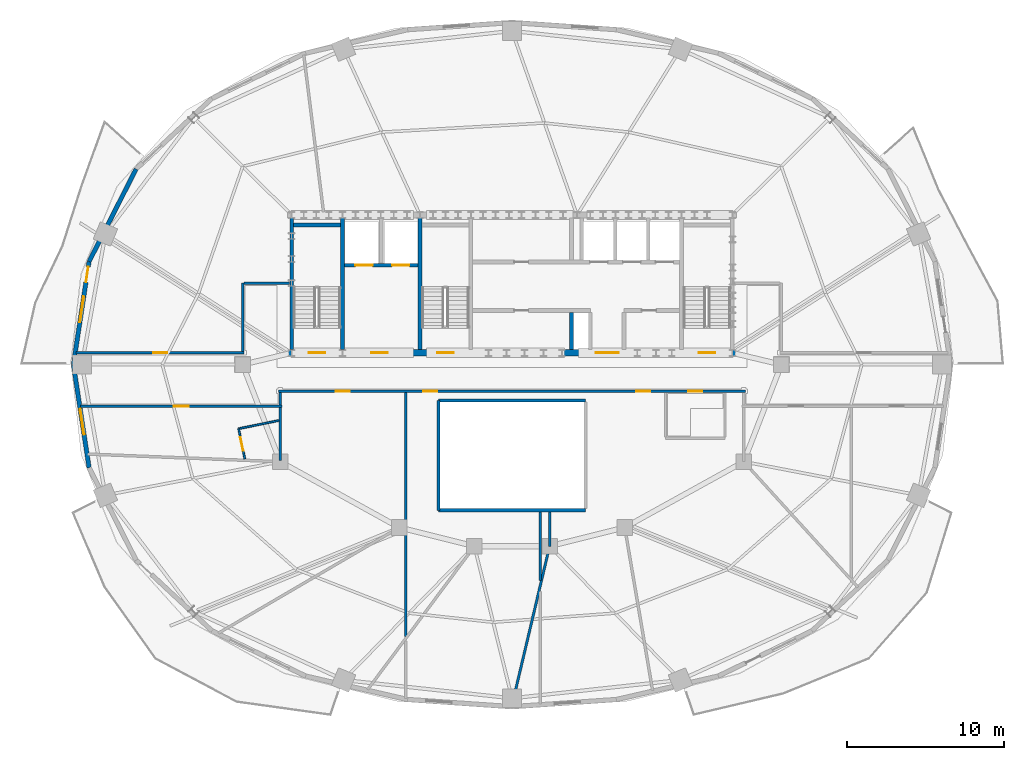
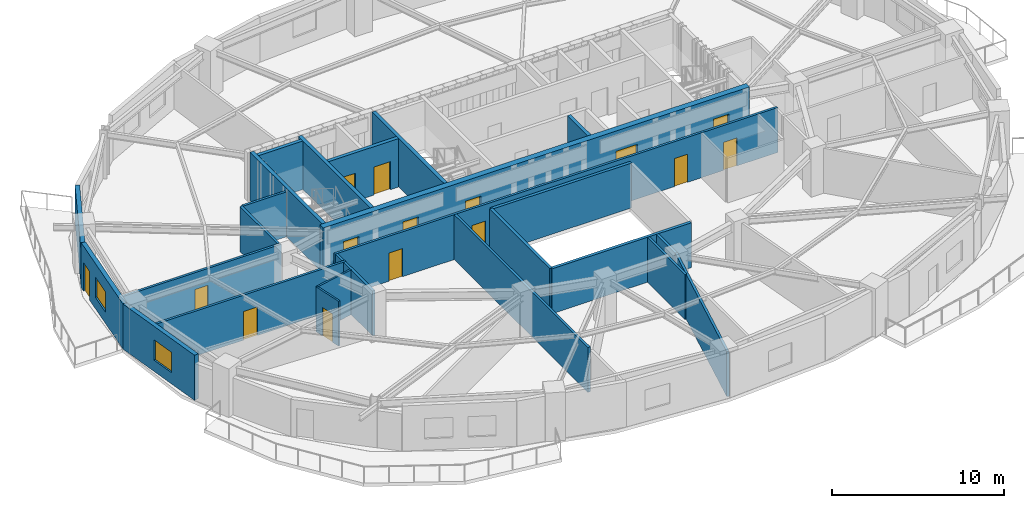
# One storey, part 4 of 11: 26 walls, 15 doors, 2 windows, 17 openings.
"""IFC4 building model written with IfcOpenShell, lengths in metres."""

from ifc_helpers import new_model, si_unit, direction, frame, frame_2d, origin, place, context, subcontext, project, spatial, rectangle, extrude, material, layer, layer_set, type_object, element, fill, save


model = new_model("IFC4")

# Units and contexts
model_context = context("Model", 3, precision=1e-05, world=origin(), true_north=direction((0.0, 1.0)))
body_context = subcontext(model_context, "Body", "Model", "MODEL_VIEW")
ifc_project = project(units=[si_unit("LENGTHUNIT", "METRE"), si_unit("AREAUNIT", "SQUARE_METRE"), si_unit("VOLUMEUNIT", "CUBIC_METRE"), si_unit("PLANEANGLEUNIT", "RADIAN"), si_unit("MASSUNIT", "GRAM", prefix="KILO")], contexts=[model_context])

# Site, building, storey
site_placement = place(None, origin())
site = spatial("IfcSite", under=ifc_project, at=site_placement, CompositionType="ELEMENT")
building_placement = place(site_placement, origin())
building = spatial("IfcBuilding", under=site, at=building_placement, Name="Haldorwick Loom Tower", CompositionType="ELEMENT")
storey_placement = place(building_placement, frame((0.0, 0.0, 208.300048828125)))
storey = spatial("IfcBuildingStorey", under=building, at=storey_placement, Name="L56", CompositionType="ELEMENT", Elevation=208.300048828125)

# Wall
ifc_material_1 = material(Name="Pressed Clay Face Brick and Insulated Masonry Backup Assembly", Category="masonry")
ifc_layer_1 = layer(ifc_material_1, 0.280029296875, Name="Pressed Clay Face Brick and Insulated Masonry Backup Assembly", Category="masonry")
ifc_layer_set_1 = layer_set([ifc_layer_1], Name="Pressed Clay Face Brick and Insulated Masonry Backup Assembly")
wall_type_1 = type_object("IfcWallType", Name="ARC-WL-EXT280", PredefinedType="STANDARD", material=ifc_layer_set_1)
wall_1_placement = place(storey_placement, frame((11.994384765625, 38.4853515625, 0.0), z_axis=(0.0, 0.0, 1.0), x_axis=(-0.453032066879, -0.89149422117, 0.0)))
element("IfcWall", 1, at=wall_1_placement, inside=storey, type_object=wall_type_1, Name="L56 Brick Pier and Spandrel Wall 11", PredefinedType="STANDARD", context=body_context, shape_type="SweptSolid", body=[
    extrude(rectangle(XDim=6.618896484375, YDim=0.280029296875, at=frame_2d((3.3095703125, 0.0))), origin(), (0.0, 0.0, 1.0), 2.640869140625),
])

# Wall, openings, door, window
wall_2_placement = place(storey_placement, frame((8.995849609375, 32.584716796875, 0.0), z_axis=(0.0, 0.0, 1.0), x_axis=(-0.150467697578, -0.988614926038, 0.0)))
wall_2 = element("IfcWall", 2, at=wall_2_placement, inside=storey, type_object=wall_type_1, Name="L56 Brick Pier and Spandrel Wall 12", PredefinedType="STANDARD", context=body_context, shape_type="SweptSolid", body=[
    extrude(rectangle(XDim=6.66064453125, YDim=0.280029296875, at=frame_2d((3.330322265625, 0.0))), origin(), (0.0, 0.0, 1.0), 3.2099609375),
])
opening_1_placement = place(wall_2_placement, frame((0.340087890625, 0.0, 0.0)))
opening_1 = element("IfcOpeningElement", 3, at=opening_1_placement, cuts=wall_2, Name="Opening D-BL10", PredefinedType="OPENING", context=body_context, shape_type="SweptSolid", body=[
    extrude(rectangle(XDim=1.0, YDim=2.0400390625, at=frame_2d((0.5, 1.02001953125))), frame((0.0, 0.14990234375, 0.0), z_axis=(0.0, -1.0, 0.0), x_axis=(1.0, 0.0, 0.0)), (0.0, 0.0, 1.0), 0.300048828125),
])
opening_2_placement = place(wall_2_placement, frame((2.2646484375, 0.0, 0.800048828125)))
opening_2 = element("IfcOpeningElement", 4, at=opening_2_placement, cuts=wall_2, Name="Opening W-01B", PredefinedType="OPENING", context=body_context, shape_type="SweptSolid", body=[
    extrude(rectangle(XDim=1.64990234375, YDim=1.449951171875, at=frame_2d((0.824951171875, 0.72509765625))), frame((0.0, 0.14990234375, 0.0), z_axis=(0.0, -1.0, 0.0), x_axis=(1.0, 0.0, 0.0)), (0.0, 0.0, 1.0), 0.300048828125),
])
ifc_material_2 = material(Name="Thermally Broken Anodized Aluminium Curtain Wall Framing", Category="aluminium")
door_type_1 = type_object("IfcDoorType", Name="ARC-DR-BAL100", OperationType="NOTDEFINED", PredefinedType="DOOR", material=ifc_material_2)
door_1_placement = place(opening_1_placement, origin())
door_1 = element("IfcDoor", 5, at=door_1_placement, inside=storey, type_object=door_type_1, Name="L56 Outdoor Terrace Door SLB-L56-BAL_WNW", OperationType="SINGLE_SWING_RIGHT", OverallHeight=2.0400390625, OverallWidth=1.0, PredefinedType="DOOR", context=body_context, shape_type="SweptSolid", body=[
    extrude(rectangle(XDim=1.0, YDim=2.0400390625, at=frame_2d((0.5, 1.02001953125))), frame((0.0, 0.02490234375, 0.0), z_axis=(0.0, -1.0, 0.0), x_axis=(1.0, 0.0, 0.0)), (0.0, 0.0, 1.0), 0.050048828125),
])
fill(opening_1, door_1)
ifc_material_3 = material(Name="Triple-Glazed Low-E Argon Insulated Glazing Unit", Category="glass")
window_type = type_object("IfcWindowType", Name="ARC-WIN-W165", PartitioningType="SINGLE_PANEL", PredefinedType="WINDOW", material=ifc_material_3)
window_1_placement = place(opening_2_placement, origin())
window_1 = element("IfcWindow", 6, at=window_1_placement, inside=storey, type_object=window_type, Name="L56 Deep-Set Zone 7A Window 12", OverallHeight=1.449951171875, OverallWidth=1.64990234375, PartitioningType="SINGLE_PANEL", PredefinedType="WINDOW", context=body_context, shape_type="SweptSolid", body=[
    extrude(rectangle(XDim=1.64990234375, YDim=1.449951171875, at=frame_2d((0.824951171875, 0.72509765625))), frame((0.0, 0.030029296875, 0.0), z_axis=(0.0, -1.0, 0.0), x_axis=(1.0, 0.0, 0.0)), (0.0, 0.0, 1.0), 0.06005859375),
])
fill(opening_2, window_1)

# Wall, opening, window
wall_3_placement = place(storey_placement, frame((7.99365234375, 26.0, 0.0), z_axis=(0.0, 0.0, 1.0), x_axis=(0.150467697578, -0.988614926038, 0.0)))
wall_3 = element("IfcWall", 7, at=wall_3_placement, inside=storey, type_object=wall_type_1, Name="L56 Brick Pier and Spandrel Wall 13", PredefinedType="STANDARD", context=body_context, shape_type="SweptSolid", body=[
    extrude(rectangle(XDim=6.66064453125, YDim=0.280029296875, at=frame_2d((3.330322265625, 0.0))), origin(), (0.0, 0.0, 1.0), 3.2099609375),
])
opening_3_placement = place(wall_3_placement, frame((2.8662109375, 0.0, 0.800048828125)))
opening_3 = element("IfcOpeningElement", 8, at=opening_3_placement, cuts=wall_3, Name="Opening W-01B", PredefinedType="OPENING", context=body_context, shape_type="SweptSolid", body=[
    extrude(rectangle(XDim=1.64990234375, YDim=1.449951171875, at=frame_2d((0.824951171875, 0.72509765625))), frame((0.0, 0.14990234375, 0.0), z_axis=(0.0, -1.0, 0.0), x_axis=(1.0, 0.0, 0.0)), (0.0, 0.0, 1.0), 0.300048828125),
])
window_2_placement = place(opening_3_placement, origin())
window_2 = element("IfcWindow", 9, at=window_2_placement, inside=storey, type_object=window_type, Name="L56 Deep-Set Zone 7A Window 13", OverallHeight=1.449951171875, OverallWidth=1.64990234375, PartitioningType="SINGLE_PANEL", PredefinedType="WINDOW", context=body_context, shape_type="SweptSolid", body=[
    extrude(rectangle(XDim=1.64990234375, YDim=1.449951171875, at=frame_2d((0.824951171875, 0.72509765625))), frame((0.0, 0.030029296875, 0.0), z_axis=(0.0, -1.0, 0.0), x_axis=(1.0, 0.0, 0.0)), (0.0, 0.0, 1.0), 0.06005859375),
])
fill(opening_3, window_2)

# Wall, openings, doors
ifc_material_4 = material(Name="Fire-Rated Type X Gypsum Stud Assembly EI 60")
ifc_layer_2 = layer(ifc_material_4, 0.159912109375, Name="Fire-Rated Type X Gypsum Stud Assembly EI 60")
ifc_layer_set_2 = layer_set([ifc_layer_2], Name="Fire-Rated Type X Gypsum Stud Assembly EI 60")
wall_type_2 = type_object("IfcWallType", Name="ARC-WL-FIRE160", PredefinedType="PARTITIONING", material=ifc_layer_set_2)
wall_4_placement = place(storey_placement, frame((21.10009765625, 24.300048828125, 0.0), z_axis=(0.0, 0.0, 1.0), x_axis=(1.0, 0.0, 0.0)))
wall_4 = element("IfcWall", 10, at=wall_4_placement, inside=storey, type_object=wall_type_2, Name="L56 Residential Fire Partition L56-CR-SP", PredefinedType="PARTITIONING", context=body_context, shape_type="SweptSolid", body=[
    extrude(rectangle(XDim=29.7998046875, YDim=0.159912109375, at=frame_2d((14.89990234375, 0.0))), origin(), (0.0, 0.0, 1.0), 3.195068359375),
])
opening_4_placement = place(wall_4_placement, frame((22.838134765625, 0.0, 0.0)))
opening_4 = element("IfcOpeningElement", 11, at=opening_4_placement, cuts=wall_4, Name="Opening D-FD60A", PredefinedType="OPENING", context=body_context, shape_type="SweptSolid", body=[
    extrude(rectangle(XDim=0.89990234375, YDim=2.0, at=frame_2d((0.449951171875, 1.0))), frame((0.0, 0.08984375, 0.0), z_axis=(0.0, -1.0, 0.0), x_axis=(1.0, 0.0, 0.0)), (0.0, 0.0, 1.0), 0.179931640625),
])
opening_5_placement = place(wall_4_placement, frame((9.22900390625, 0.0, 0.0)))
opening_5 = element("IfcOpeningElement", 12, at=opening_5_placement, cuts=wall_4, Name="Opening D-FD60A", PredefinedType="OPENING", context=body_context, shape_type="SweptSolid", body=[
    extrude(rectangle(XDim=0.89990234375, YDim=2.0, at=frame_2d((0.449951171875, 1.0))), frame((0.0, 0.08984375, 0.0), z_axis=(0.0, -1.0, 0.0), x_axis=(1.0, 0.0, 0.0)), (0.0, 0.0, 1.0), 0.179931640625),
])
opening_6_placement = place(wall_4_placement, frame((3.6337890625, 0.0, 0.0)))
opening_6 = element("IfcOpeningElement", 13, at=opening_6_placement, cuts=wall_4, Name="Opening D-FD60A", PredefinedType="OPENING", context=body_context, shape_type="SweptSolid", body=[
    extrude(rectangle(XDim=0.89990234375, YDim=2.0, at=frame_2d((0.449951171875, 1.0))), frame((0.0, 0.08984375, 0.0), z_axis=(0.0, -1.0, 0.0), x_axis=(1.0, 0.0, 0.0)), (0.0, 0.0, 1.0), 0.179931640625),
])
opening_7_placement = place(wall_4_placement, frame((26.1494140625, 0.0, 0.0)))
opening_7 = element("IfcOpeningElement", 14, at=opening_7_placement, cuts=wall_4, Name="Opening D-FD60A", PredefinedType="OPENING", context=body_context, shape_type="SweptSolid", body=[
    extrude(rectangle(XDim=0.89990234375, YDim=2.0, at=frame_2d((0.449951171875, 1.0))), frame((0.0, 0.08984375, 0.0), z_axis=(0.0, -1.0, 0.0), x_axis=(1.0, 0.0, 0.0)), (0.0, 0.0, 1.0), 0.179931640625),
])
ifc_material_5 = material(Name="Hollow Steel Fire Door Assembly", Category="steel")
door_type_2 = type_object("IfcDoorType", Name="ARC-DR-FD60-90", OperationType="NOTDEFINED", PredefinedType="DOOR", material=ifc_material_5)
door_2_placement = place(opening_4_placement, origin())
door_2 = element("IfcDoor", 15, at=door_2_placement, inside=storey, type_object=door_type_2, Name="L56 L56 Central Residential Corridor to Co-Working Open Office 2 Door", OperationType="SINGLE_SWING_LEFT", OverallHeight=2.0, OverallWidth=0.89990234375, PredefinedType="DOOR", context=body_context, shape_type="SweptSolid", body=[
    extrude(rectangle(XDim=0.89990234375, YDim=2.0, at=frame_2d((0.449951171875, 1.0))), frame((0.0, 0.02490234375, 0.0), z_axis=(0.0, -1.0, 0.0), x_axis=(1.0, 0.0, 0.0)), (0.0, 0.0, 1.0), 0.050048828125),
])
fill(opening_4, door_2)
door_3_placement = place(opening_5_placement, origin())
door_3 = element("IfcDoor", 16, at=door_3_placement, inside=storey, type_object=door_type_2, Name="L56 L56 Central Residential Corridor to Co-Working Open Office 1 Door", OperationType="SINGLE_SWING_LEFT", OverallHeight=2.0, OverallWidth=0.89990234375, PredefinedType="DOOR", context=body_context, shape_type="SweptSolid", body=[
    extrude(rectangle(XDim=0.89990234375, YDim=2.0, at=frame_2d((0.449951171875, 1.0))), frame((0.0, 0.02490234375, 0.0), z_axis=(0.0, -1.0, 0.0), x_axis=(1.0, 0.0, 0.0)), (0.0, 0.0, 1.0), 0.050048828125),
])
fill(opening_5, door_3)
door_4_placement = place(opening_6_placement, origin())
door_4 = element("IfcDoor", 17, at=door_4_placement, inside=storey, type_object=door_type_2, Name="L56 L56 Central Residential Corridor to Co-Working Open Office 3 Door", OperationType="SINGLE_SWING_RIGHT", OverallHeight=2.0, OverallWidth=0.89990234375, PredefinedType="DOOR", context=body_context, shape_type="SweptSolid", body=[
    extrude(rectangle(XDim=0.89990234375, YDim=2.0, at=frame_2d((0.449951171875, 1.0))), frame((0.0, 0.02490234375, 0.0), z_axis=(0.0, -1.0, 0.0), x_axis=(1.0, 0.0, 0.0)), (0.0, 0.0, 1.0), 0.050048828125),
])
fill(opening_6, door_4)
door_5_placement = place(opening_7_placement, origin())
door_5 = element("IfcDoor", 18, at=door_5_placement, inside=storey, type_object=door_type_2, Name="L56 L56 Central Residential Corridor to Common Accessible WC Door", OperationType="SINGLE_SWING_LEFT", OverallHeight=2.0, OverallWidth=0.89990234375, PredefinedType="DOOR", context=body_context, shape_type="SweptSolid", body=[
    extrude(rectangle(XDim=0.89990234375, YDim=2.0, at=frame_2d((0.449951171875, 1.0))), frame((0.0, 0.02490234375, 0.0), z_axis=(0.0, -1.0, 0.0), x_axis=(1.0, 0.0, 0.0)), (0.0, 0.0, 1.0), 0.050048828125),
])
fill(opening_7, door_5)

# Wall, opening, door
wall_5_placement = place(storey_placement, frame((8.4423828125, 23.35009765625, 0.0), z_axis=(0.0, 0.0, 1.0), x_axis=(1.0, 0.0, 0.0)))
wall_5 = element("IfcWall", 19, at=wall_5_placement, inside=storey, type_object=wall_type_2, Name="L56 Residential Fire Partition L56-CR-SPW", PredefinedType="PARTITIONING", context=body_context, shape_type="SweptSolid", body=[
    extrude(rectangle(XDim=12.857666015625, YDim=0.159912109375, at=frame_2d((6.4287109375, 0.0))), origin(), (0.0, 0.0, 1.0), 3.195068359375),
])
opening_8_placement = place(wall_5_placement, frame((5.95361328125, 0.0, 0.0)))
opening_8 = element("IfcOpeningElement", 20, at=opening_8_placement, cuts=wall_5, Name="Opening D-FL95", PredefinedType="OPENING", context=body_context, shape_type="SweptSolid", body=[
    extrude(rectangle(XDim=0.949951171875, YDim=2.0400390625, at=frame_2d((0.47509765625, 1.02001953125))), frame((0.0, 0.08984375, 0.0), z_axis=(0.0, -1.0, 0.0), x_axis=(1.0, 0.0, 0.0)), (0.0, 0.0, 1.0), 0.179931640625),
])
ifc_material_6 = material(Name="Solid Core Birch Architectural Door")
door_type_3 = type_object("IfcDoorType", Name="ARC-DR-FLAT95", OperationType="NOTDEFINED", PredefinedType="DOOR", material=ifc_material_6)
door_6_placement = place(opening_8_placement, origin())
door_6 = element("IfcDoor", 21, at=door_6_placement, inside=storey, type_object=door_type_3, Name="L56 L56 Central Residential Corridor to Unit 56B Kitchen and Studio Livi", OperationType="SINGLE_SWING_RIGHT", OverallHeight=2.0400390625, OverallWidth=0.949951171875, PredefinedType="DOOR", context=body_context, shape_type="SweptSolid", body=[
    extrude(rectangle(XDim=0.949951171875, YDim=2.0400390625, at=frame_2d((0.47509765625, 1.02001953125))), frame((0.0, 0.02490234375, 0.0), z_axis=(0.0, -1.0, 0.0), x_axis=(1.0, 0.0, 0.0)), (0.0, 0.0, 1.0), 0.050048828125),
])
fill(opening_8, door_6)

# Wall
wall_6_placement = place(storey_placement, frame((21.199951171875, 23.43310546875, 0.0), z_axis=(0.0, 0.0, 1.0), x_axis=(0.0, 1.0, 0.0)))
element("IfcWall", 22, at=wall_6_placement, inside=storey, type_object=wall_type_2, Name="L56 Residential Fire Partition L56-CR-STW", PredefinedType="PARTITIONING", context=body_context, shape_type="SweptSolid", body=[
    extrude(rectangle(XDim=0.783935546875, YDim=0.159912109375, at=frame_2d((0.39208984375, 0.0))), origin(), (0.0, 0.0, 1.0), 3.195068359375),
])

# Wall, opening, door
wall_7_placement = place(storey_placement, frame((8.1533203125, 26.75, 0.0), z_axis=(0.0, 0.0, 1.0), x_axis=(1.0, 0.0, 0.0)))
wall_7 = element("IfcWall", 23, at=wall_7_placement, inside=storey, type_object=wall_type_2, Name="L56 Residential Fire Partition L56-CR-NWL", PredefinedType="PARTITIONING", context=body_context, shape_type="SweptSolid", body=[
    extrude(rectangle(XDim=10.74658203125, YDim=0.159912109375, at=frame_2d((5.373291015625, 0.0))), origin(), (0.0, 0.0, 1.0), 3.195068359375),
])
opening_9_placement = place(wall_7_placement, frame((4.92333984375, 0.0, 0.0)))
opening_9 = element("IfcOpeningElement", 24, at=opening_9_placement, cuts=wall_7, Name="Opening D-FD60A", PredefinedType="OPENING", context=body_context, shape_type="SweptSolid", body=[
    extrude(rectangle(XDim=0.89990234375, YDim=2.0, at=frame_2d((0.449951171875, 1.0))), frame((0.0, 0.08984375, 0.0), z_axis=(0.0, -1.0, 0.0), x_axis=(1.0, 0.0, 0.0)), (0.0, 0.0, 1.0), 0.179931640625),
])
door_7_placement = place(opening_9_placement, frame((0.89990234375, 0.0, 0.0), z_axis=(0.0, 0.0, 1.0), x_axis=(-1.0, 0.0, 0.0)))
door_7 = element("IfcDoor", 25, at=door_7_placement, inside=storey, type_object=door_type_2, Name="L56 Co-Working Open Office 7 to L56 Central Residential Corridor Door", OperationType="SINGLE_SWING_LEFT", OverallHeight=2.0, OverallWidth=0.89990234375, PredefinedType="DOOR", context=body_context, shape_type="SweptSolid", body=[
    extrude(rectangle(XDim=0.89990234375, YDim=2.0, at=frame_2d((0.449951171875, 1.0))), frame((0.0, 0.02490234375, 0.0), z_axis=(0.0, -1.0, 0.0), x_axis=(1.0, 0.0, 0.0)), (0.0, 0.0, 1.0), 0.050048828125),
])
fill(opening_9, door_7)

# Walls
wall_8_placement = place(storey_placement, frame((18.800048828125, 26.8330078125, 0.0), z_axis=(0.0, 0.0, 1.0), x_axis=(0.0, 1.0, 0.0)))
element("IfcWall", 26, at=wall_8_placement, inside=storey, type_object=wall_type_2, Name="L56 Residential Fire Partition L56-CR-W0", PredefinedType="PARTITIONING", context=body_context, shape_type="SweptSolid", body=[
    extrude(rectangle(XDim=4.366943359375, YDim=0.159912109375, at=frame_2d((2.18359375, 0.0))), origin(), (0.0, 0.0, 1.0), 3.195068359375),
])
wall_9_placement = place(storey_placement, frame((18.883056640625, 31.199951171875, 0.0), z_axis=(0.0, 0.0, 1.0), x_axis=(1.0, 0.0, 0.0)))
element("IfcWall", 27, at=wall_9_placement, inside=storey, type_object=wall_type_2, Name="L56 Residential Fire Partition L56-CR-WNJ", PredefinedType="PARTITIONING", context=body_context, shape_type="SweptSolid", body=[
    extrude(rectangle(XDim=2.923828125, YDim=0.159912109375, at=frame_2d((1.4619140625, 0.0))), origin(), (0.0, 0.0, 1.0), 3.195068359375),
])
wall_10_placement = place(storey_placement, frame((38.39990234375, 14.39990234375, 0.0), z_axis=(0.0, 0.0, 1.0), x_axis=(-0.230222003239, -0.973138134709, 0.0)))
element("IfcWall", 28, at=wall_10_placement, inside=storey, type_object=wall_type_2, Name="L56 Residential Fire Partition L56-ICR-06", PredefinedType="PARTITIONING", context=body_context, shape_type="SweptSolid", body=[
    extrude(rectangle(XDim=10.48046875, YDim=0.159912109375, at=frame_2d((5.240234375, 0.0))), origin(), (0.0, 0.0, 1.0), 3.195068359375),
])
wall_11_placement = place(storey_placement, frame((29.199951171875, 8.633544921875, 0.0), z_axis=(0.0, 0.0, 1.0), x_axis=(0.0, 1.0, 0.0)))
element("IfcWall", 29, at=wall_11_placement, inside=storey, type_object=wall_type_2, Name="L56 Residential Fire Partition L56-SBP-0", PredefinedType="PARTITIONING", context=body_context, shape_type="SweptSolid", body=[
    extrude(rectangle(XDim=15.58349609375, YDim=0.159912109375, at=frame_2d((7.791748046875, 0.0))), origin(), (0.0, 0.0, 1.0), 3.195068359375),
])
wall_12_placement = place(storey_placement, frame((37.800048828125, 12.224365234375, 0.0), z_axis=(0.0, 0.0, 1.0), x_axis=(0.0, 1.0, 0.0)))
element("IfcWall", 30, at=wall_12_placement, inside=storey, type_object=wall_type_2, Name="L56 Residential Fire Partition L56-SBP-1", PredefinedType="PARTITIONING", context=body_context, shape_type="SweptSolid", body=[
    extrude(rectangle(XDim=4.37255859375, YDim=0.159912109375, at=frame_2d((2.186279296875, 0.0))), origin(), (0.0, 0.0, 1.0), 3.195068359375),
])
wall_13_placement = place(storey_placement, frame((38.39990234375, 16.596923828125, 0.0), z_axis=(0.0, 0.0, 1.0), x_axis=(0.0, -1.0, 0.0)))
element("IfcWall", 31, at=wall_13_placement, inside=storey, type_object=wall_type_2, Name="L56 Residential Fire Partition L56-ICA-05", PredefinedType="PARTITIONING", context=body_context, shape_type="SweptSolid", body=[
    extrude(rectangle(XDim=2.197021484375, YDim=0.159912109375, at=frame_2d((1.0986328125, 0.0))), origin(), (0.0, 0.0, 1.0), 3.195068359375),
])
wall_14_placement = place(storey_placement, frame((21.199951171875, 23.26708984375, 0.0), z_axis=(0.0, 0.0, 1.0), x_axis=(0.0, -1.0, 0.0)))
element("IfcWall", 32, at=wall_14_placement, inside=storey, type_object=wall_type_2, Name="L56 Residential Fire Partition L56-ICA-11", PredefinedType="PARTITIONING", context=body_context, shape_type="SweptSolid", body=[
    extrude(rectangle(XDim=3.384033203125, YDim=0.159912109375, at=frame_2d((1.69189453125, 0.0))), origin(), (0.0, 0.0, 1.0), 3.195068359375),
])
ifc_material_7 = material(Name="Fire-Rated Type X Gypsum Stud Assembly EI 120")
ifc_layer_3 = layer(ifc_material_7, 0.199951171875, Name="Fire-Rated Type X Gypsum Stud Assembly EI 120")
ifc_layer_set_3 = layer_set([ifc_layer_3], Name="Fire-Rated Type X Gypsum Stud Assembly EI 120")
wall_type_3 = type_object("IfcWallType", Name="ARC-WL-FIRE200", PredefinedType="PARTITIONING", material=ifc_layer_set_3)
for number, where, z_axis, x_axis, name in (
    (33, (31.300048828125, 23.699951171875, 0.0), (0.0, 0.0, 1.0), (1.0, 0.0, 0.0), "L56 Atrium Fire Enclosure Wall N"),
    (34, (40.699951171875, 16.699951171875, 0.0), (0.0, 0.0, 1.0), (-1.0, 0.0, 0.0), "L56 Atrium Fire Enclosure Wall S"),
):
    element("IfcWall", number, at=place(storey_placement, frame(where, z_axis=z_axis, x_axis=x_axis)), inside=storey, type_object=wall_type_3, Name=name, PredefinedType="PARTITIONING", context=body_context, shape_type="SweptSolid", body=[
        extrude(rectangle(XDim=9.39990234375, YDim=0.199951171875, at=frame_2d((4.699951171875, 0.0))), origin(), (0.0, 0.0, 1.0), 3.195068359375),
    ])
wall_15_placement = place(storey_placement, frame((31.300048828125, 16.699951171875, 0.0), z_axis=(0.0, 0.0, 1.0), x_axis=(0.0, 1.0, 0.0)))
element("IfcWall", 35, at=wall_15_placement, inside=storey, type_object=wall_type_3, Name="L56 Atrium Fire Enclosure Wall W", PredefinedType="PARTITIONING", context=body_context, shape_type="SweptSolid", body=[
    extrude(rectangle(XDim=7.0, YDim=0.199951171875, at=frame_2d((3.5, 0.0))), origin(), (0.0, 0.0, 1.0), 3.195068359375),
])

# Wall, opening, door
ifc_material_8 = material(Name="Acoustic Gypsum Stud Assembly STC 55")
ifc_layer_4 = layer(ifc_material_8, 0.1201171875, Name="Acoustic Gypsum Stud Assembly STC 55")
ifc_layer_set_4 = layer_set([ifc_layer_4], Name="Acoustic Gypsum Stud Assembly STC 55")
wall_type_4 = type_object("IfcWallType", Name="ARC-WL-PART120", PredefinedType="PARTITIONING", material=ifc_layer_set_4)
wall_16_placement = place(storey_placement, frame((18.544677734375, 21.9052734375, 0.0), z_axis=(0.0, 0.0, 1.0), x_axis=(0.201205987491, -0.97954895263, 0.0)))
wall_16 = element("IfcWall", 36, at=wall_16_placement, inside=storey, type_object=wall_type_4, Name="L56 Unit 56B Interior Partition", PredefinedType="PARTITIONING", context=body_context, shape_type="SweptSolid", body=[
    extrude(rectangle(XDim=1.972900390625, YDim=0.1201171875, at=frame_2d((0.986328125, 0.0))), origin(), (0.0, 0.0, 1.0), 3.195068359375),
])
opening_10_placement = place(wall_16_placement, frame((0.54638671875, 0.0, 0.0)))
opening_10 = element("IfcOpeningElement", 37, at=opening_10_placement, cuts=wall_16, Name="Opening D-BT88", PredefinedType="OPENING", context=body_context, shape_type="SweptSolid", body=[
    extrude(rectangle(XDim=0.8798828125, YDim=2.02001953125, at=frame_2d((0.43994140625, 1.010009765625))), frame((0.0, 0.070068359375, 0.0), z_axis=(0.0, -1.0, 0.0), x_axis=(1.0, 0.0, 0.0)), (0.0, 0.0, 1.0), 0.14013671875),
])
door_type_4 = type_object("IfcDoorType", Name="ARC-DR-BATH88", OperationType="NOTDEFINED", PredefinedType="DOOR", material=ifc_material_6)
door_8_placement = place(opening_10_placement, origin())
door_8 = element("IfcDoor", 38, at=door_8_placement, inside=storey, type_object=door_type_4, Name="L56 Unit 56B Bathroom to Unit 56B Kitchen and Studio Living Room Door", OperationType="SINGLE_SWING_RIGHT", OverallHeight=2.02001953125, OverallWidth=0.8798828125, PredefinedType="DOOR", context=body_context, shape_type="SweptSolid", body=[
    extrude(rectangle(XDim=0.8798828125, YDim=2.02001953125, at=frame_2d((0.43994140625, 1.010009765625))), frame((0.0, 0.02490234375, 0.0), z_axis=(0.0, -1.0, 0.0), x_axis=(1.0, 0.0, 0.0)), (0.0, 0.0, 1.0), 0.050048828125),
])
fill(opening_10, door_8)

# Wall
wall_17_placement = place(storey_placement, frame((21.116943359375, 22.43359375, 0.0), z_axis=(0.0, 0.0, 1.0), x_axis=(-0.979551989532, -0.201191202102, 0.0)))
element("IfcWall", 39, at=wall_17_placement, inside=storey, type_object=wall_type_4, Name="L56 Unit 56B Interior Partition", PredefinedType="PARTITIONING", context=body_context, shape_type="SweptSolid", body=[
    extrude(rectangle(XDim=2.6259765625, YDim=0.1201171875, at=frame_2d((1.31298828125, 0.0))), origin(), (0.0, 0.0, 1.0), 3.195068359375),
])

# Wall, openings, doors
ifc_material_9 = material(Name="Concrete C50 (50 MPa)", Category="concrete")
ifc_layer_5 = layer(ifc_material_9, 0.39990234375, Name="Concrete C50 (50 MPa)", Category="concrete")
ifc_layer_set_5 = layer_set([ifc_layer_5], Name="Concrete C50 (50 MPa)")
wall_type_5 = type_object("IfcWallType", Name="STR-WL-CORE400", PredefinedType="SHEAR", material=ifc_layer_set_5)
wall_18_placement = place(storey_placement, frame((21.64990234375, 26.75, 0.0), z_axis=(0.0, 0.0, 1.0), x_axis=(1.0, 0.0, 0.0)))
wall_18 = element("IfcWall", 40, at=wall_18_placement, inside=storey, type_object=wall_type_5, Name="L56 Core Shear Wall S", PredefinedType="SHEAR", context=body_context, shape_type="SweptSolid", body=[
    extrude(rectangle(XDim=28.7001953125, YDim=0.39990234375, at=frame_2d((14.35009765625, 0.0))), origin(), (0.0, 0.0, 1.0), 3.449951171875),
])
opening_11_placement = place(wall_18_placement, frame((1.375, 0.0, 0.0)))
opening_11 = element("IfcOpeningElement", 41, at=opening_11_placement, cuts=wall_18, Name="Opening D-FD60", PredefinedType="OPENING", context=body_context, shape_type="SweptSolid", body=[
    extrude(rectangle(XDim=1.050048828125, YDim=2.0, at=frame_2d((0.52490234375, 1.0))), frame((0.0, 0.2099609375, 0.0), z_axis=(0.0, -1.0, 0.0), x_axis=(1.0, 0.0, 0.0)), (0.0, 0.0, 1.0), 0.419921875),
])
opening_12_placement = place(wall_18_placement, frame((5.375, 0.0, 0.0)))
opening_12 = element("IfcOpeningElement", 42, at=opening_12_placement, cuts=wall_18, Name="Opening D-FD60", PredefinedType="OPENING", context=body_context, shape_type="SweptSolid", body=[
    extrude(rectangle(XDim=1.050048828125, YDim=2.0, at=frame_2d((0.52490234375, 1.0))), frame((0.0, 0.2099609375, 0.0), z_axis=(0.0, -1.0, 0.0), x_axis=(1.0, 0.0, 0.0)), (0.0, 0.0, 1.0), 0.419921875),
])
opening_13_placement = place(wall_18_placement, frame((9.574951171875, 0.0, 0.0)))
opening_13 = element("IfcOpeningElement", 43, at=opening_13_placement, cuts=wall_18, Name="Opening D-FD60", PredefinedType="OPENING", context=body_context, shape_type="SweptSolid", body=[
    extrude(rectangle(XDim=1.050048828125, YDim=2.0, at=frame_2d((0.52490234375, 1.0))), frame((0.0, 0.2099609375, 0.0), z_axis=(0.0, -1.0, 0.0), x_axis=(1.0, 0.0, 0.0)), (0.0, 0.0, 1.0), 0.419921875),
])
opening_14_placement = place(wall_18_placement, frame((19.705078125, 0.0, 0.0)))
opening_14 = element("IfcOpeningElement", 44, at=opening_14_placement, cuts=wall_18, Name="Opening D-LB15", PredefinedType="OPENING", context=body_context, shape_type="SweptSolid", body=[
    extrude(rectangle(XDim=1.449951171875, YDim=2.0, at=frame_2d((0.72509765625, 1.0))), frame((0.0, 0.2099609375, 0.0), z_axis=(0.0, -1.0, 0.0), x_axis=(1.0, 0.0, 0.0)), (0.0, 0.0, 1.0), 0.419921875),
])
opening_15_placement = place(wall_18_placement, frame((26.27490234375, 0.0, 0.0)))
opening_15 = element("IfcOpeningElement", 45, at=opening_15_placement, cuts=wall_18, Name="Opening D-FD60", PredefinedType="OPENING", context=body_context, shape_type="SweptSolid", body=[
    extrude(rectangle(XDim=1.050048828125, YDim=2.0, at=frame_2d((0.52490234375, 1.0))), frame((0.0, 0.2099609375, 0.0), z_axis=(0.0, -1.0, 0.0), x_axis=(1.0, 0.0, 0.0)), (0.0, 0.0, 1.0), 0.419921875),
])
door_type_5 = type_object("IfcDoorType", Name="ARC-DR-FD60", OperationType="NOTDEFINED", PredefinedType="DOOR", material=ifc_material_5)
door_9_placement = place(opening_11_placement, origin())
door_9 = element("IfcDoor", 46, at=door_9_placement, inside=storey, type_object=door_type_5, Name="L56 Exit Stair ST-01 Fire Door", OperationType="SINGLE_SWING_RIGHT", OverallHeight=2.0, OverallWidth=1.050048828125, PredefinedType="DOOR", context=body_context, shape_type="SweptSolid", body=[
    extrude(rectangle(XDim=1.050048828125, YDim=2.0, at=frame_2d((0.52490234375, 1.0))), frame((0.0, 0.02490234375, 0.0), z_axis=(0.0, -1.0, 0.0), x_axis=(1.0, 0.0, 0.0)), (0.0, 0.0, 1.0), 0.050048828125),
])
fill(opening_11, door_9)
door_10_placement = place(opening_12_placement, origin())
door_10 = element("IfcDoor", 47, at=door_10_placement, inside=storey, type_object=door_type_5, Name="L56 Firefighting Lift Lobby Fire Door", OperationType="SINGLE_SWING_LEFT", OverallHeight=2.0, OverallWidth=1.050048828125, PredefinedType="DOOR", context=body_context, shape_type="SweptSolid", body=[
    extrude(rectangle(XDim=1.050048828125, YDim=2.0, at=frame_2d((0.52490234375, 1.0))), frame((0.0, 0.02490234375, 0.0), z_axis=(0.0, -1.0, 0.0), x_axis=(1.0, 0.0, 0.0)), (0.0, 0.0, 1.0), 0.050048828125),
])
fill(opening_12, door_10)
door_11_placement = place(opening_13_placement, origin())
door_11 = element("IfcDoor", 48, at=door_11_placement, inside=storey, type_object=door_type_5, Name="L56 Exit Stair ST-03 Fire Door", OperationType="SINGLE_SWING_LEFT", OverallHeight=2.0, OverallWidth=1.050048828125, PredefinedType="DOOR", context=body_context, shape_type="SweptSolid", body=[
    extrude(rectangle(XDim=1.050048828125, YDim=2.0, at=frame_2d((0.52490234375, 1.0))), frame((0.0, 0.02490234375, 0.0), z_axis=(0.0, -1.0, 0.0), x_axis=(1.0, 0.0, 0.0)), (0.0, 0.0, 1.0), 0.050048828125),
])
fill(opening_13, door_11)
door_12_placement = place(opening_15_placement, origin())
door_12 = element("IfcDoor", 49, at=door_12_placement, inside=storey, type_object=door_type_5, Name="L56 Exit Stair ST-02 Fire Door", OperationType="SINGLE_SWING_LEFT", OverallHeight=2.0, OverallWidth=1.050048828125, PredefinedType="DOOR", context=body_context, shape_type="SweptSolid", body=[
    extrude(rectangle(XDim=1.050048828125, YDim=2.0, at=frame_2d((0.52490234375, 1.0))), frame((0.0, 0.02490234375, 0.0), z_axis=(0.0, -1.0, 0.0), x_axis=(1.0, 0.0, 0.0)), (0.0, 0.0, 1.0), 0.050048828125),
])
fill(opening_15, door_12)
ifc_material_10 = material(Name="Thermally Broken Anodized Aluminium and Tempered Glass", Category="aluminium")
door_type_6 = type_object("IfcDoorType", Name="ARC-DR-LOB150", OperationType="NOTDEFINED", PredefinedType="DOOR", material=ifc_material_10)
door_13_placement = place(opening_14_placement, frame((1.449951171875, 0.0, 0.0), z_axis=(0.0, 0.0, 1.0), x_axis=(-1.0, 0.0, 0.0)))
door_13 = element("IfcDoor", 50, at=door_13_placement, inside=storey, type_object=door_type_6, Name="L56 Passenger Lift Lobby Fire Door", OperationType="DOUBLE_DOOR_SINGLE_SWING", OverallHeight=2.0, OverallWidth=1.449951171875, PredefinedType="DOOR", context=body_context, shape_type="SweptSolid", body=[
    extrude(rectangle(XDim=1.449951171875, YDim=2.0, at=frame_2d((0.72509765625, 1.0))), frame((0.0, 0.02490234375, 0.0), z_axis=(0.0, -1.0, 0.0), x_axis=(1.0, 0.0, 0.0)), (0.0, 0.0, 1.0), 0.050048828125),
])
fill(opening_14, door_13)

# Walls
ifc_layer_6 = layer(ifc_material_9, 0.239990234375, Name="Concrete C50 (50 MPa)", Category="concrete")
ifc_layer_set_6 = layer_set([ifc_layer_6], Name="Concrete C50 (50 MPa)")
wall_type_6 = type_object("IfcWallType", Name="STR-WL-SHAFT240", PredefinedType="SHEAR", material=ifc_layer_set_6)
for number, where, z_axis, x_axis, name in (
    (51, (21.929931640625, 35.346923828125, 0.0), (0.0, 0.0, 1.0), (0.0, -1.0, 0.0), "L56 Core Shear Wall W"),
    (52, (25.169921875, 26.952880859375, 0.0), (0.0, 0.0, 1.0), (0.0, 1.0, 0.0), "L56 Core Shear Wall 1"),
):
    element("IfcWall", number, at=place(storey_placement, frame(where, z_axis=z_axis, x_axis=x_axis)), inside=storey, type_object=wall_type_6, Name=name, PredefinedType="SHEAR", context=body_context, shape_type="SweptSolid", body=[
        extrude(rectangle(XDim=8.39404296875, YDim=0.239990234375, at=frame_2d((4.197021484375, 0.0))), origin(), (0.0, 0.0, 1.0), 3.449951171875),
    ])
wall_19_placement = place(storey_placement, frame((22.052978515625, 34.919921875, 0.0), z_axis=(0.0, 0.0, 1.0), x_axis=(1.0, 0.0, 0.0)))
element("IfcWall", 53, at=wall_19_placement, inside=storey, type_object=wall_type_6, Name="L56 Core Shear Wall 1N", PredefinedType="SHEAR", context=body_context, shape_type="SweptSolid", body=[
    extrude(rectangle(XDim=2.994140625, YDim=0.239990234375, at=frame_2d((1.4970703125, 0.0))), origin(), (0.0, 0.0, 1.0), 3.449951171875),
])
wall_20_placement = place(storey_placement, frame((30.1298828125, 26.952880859375, 0.0), z_axis=(0.0, 0.0, 1.0), x_axis=(0.0, 1.0, 0.0)))
element("IfcWall", 54, at=wall_20_placement, inside=storey, type_object=wall_type_6, Name="L56 Core Shear Wall 2", PredefinedType="SHEAR", context=body_context, shape_type="SweptSolid", body=[
    extrude(rectangle(XDim=8.39404296875, YDim=0.239990234375, at=frame_2d((4.197021484375, 0.0))), origin(), (0.0, 0.0, 1.0), 3.449951171875),
])

# Wall, openings, doors
wall_21_placement = place(storey_placement, frame((25.29296875, 32.35009765625, 0.0), z_axis=(0.0, 0.0, 1.0), x_axis=(1.0, 0.0, 0.0)))
wall_21 = element("IfcWall", 55, at=wall_21_placement, inside=storey, type_object=wall_type_6, Name="L56 Core Shear Wall FF", PredefinedType="SHEAR", context=body_context, shape_type="SweptSolid", body=[
    extrude(rectangle(XDim=4.714111328125, YDim=0.239990234375, at=frame_2d((2.35693359375, 0.0))), origin(), (0.0, 0.0, 1.0), 3.449951171875),
])
opening_16_placement = place(wall_21_placement, frame((0.70703125, 0.0, 0.0)))
opening_16 = element("IfcOpeningElement", 56, at=opening_16_placement, cuts=wall_21, Name="Opening LD-FF1", PredefinedType="OPENING", context=body_context, shape_type="SweptSolid", body=[
    extrude(rectangle(XDim=1.10009765625, YDim=2.0, at=frame_2d((0.550048828125, 1.0))), frame((0.0, 0.1298828125, 0.0), z_axis=(0.0, -1.0, 0.0), x_axis=(1.0, 0.0, 0.0)), (0.0, 0.0, 1.0), 0.260009765625),
])
opening_17_placement = place(wall_21_placement, frame((3.056884765625, 0.0, 0.0)))
opening_17 = element("IfcOpeningElement", 57, at=opening_17_placement, cuts=wall_21, Name="Opening LD-FF2", PredefinedType="OPENING", context=body_context, shape_type="SweptSolid", body=[
    extrude(rectangle(XDim=1.10009765625, YDim=2.0, at=frame_2d((0.550048828125, 1.0))), frame((0.0, 0.1298828125, 0.0), z_axis=(0.0, -1.0, 0.0), x_axis=(1.0, 0.0, 0.0)), (0.0, 0.0, 1.0), 0.260009765625),
])
door_type_7 = type_object("IfcDoorType", Name="ARC-DR-LD-FF", OperationType="NOTDEFINED", PredefinedType="USERDEFINED", material=ifc_material_5)
door_14_placement = place(opening_16_placement, origin())
door_14 = element("IfcDoor", 58, at=door_14_placement, inside=storey, type_object=door_type_7, Name="L56 Lift LF-FF1 Sliding Landing Door", ObjectType="LANDING DOOR", OperationType="DOUBLE_DOOR_SLIDING", OverallHeight=2.0, OverallWidth=1.10009765625, PredefinedType="USERDEFINED", context=body_context, shape_type="SweptSolid", body=[
    extrude(rectangle(XDim=1.10009765625, YDim=2.0, at=frame_2d((0.550048828125, 1.0))), frame((0.0, 0.02490234375, 0.0), z_axis=(0.0, -1.0, 0.0), x_axis=(1.0, 0.0, 0.0)), (0.0, 0.0, 1.0), 0.050048828125),
])
fill(opening_16, door_14)
door_15_placement = place(opening_17_placement, origin())
door_15 = element("IfcDoor", 59, at=door_15_placement, inside=storey, type_object=door_type_7, Name="L56 Lift LF-FF2 Sliding Landing Door", ObjectType="LANDING DOOR", OperationType="DOUBLE_DOOR_SLIDING", OverallHeight=2.0, OverallWidth=1.10009765625, PredefinedType="USERDEFINED", context=body_context, shape_type="SweptSolid", body=[
    extrude(rectangle(XDim=1.10009765625, YDim=2.0, at=frame_2d((0.550048828125, 1.0))), frame((0.0, 0.02490234375, 0.0), z_axis=(0.0, -1.0, 0.0), x_axis=(1.0, 0.0, 0.0)), (0.0, 0.0, 1.0), 0.050048828125),
])
fill(opening_17, door_15)

# Wall
wall_22_placement = place(storey_placement, frame((39.800048828125, 26.952880859375, 0.0), z_axis=(0.0, 0.0, 1.0), x_axis=(0.0, 1.0, 0.0)))
element("IfcWall", 60, at=wall_22_placement, inside=storey, type_object=wall_type_6, Name="L56 Core Shear Wall MRW", PredefinedType="SHEAR", context=body_context, shape_type="SweptSolid", body=[
    extrude(rectangle(XDim=2.3740234375, YDim=0.239990234375, at=frame_2d((1.18701171875, 0.0))), origin(), (0.0, 0.0, 1.0), 3.449951171875),
])

save(model, "model.ifc")
